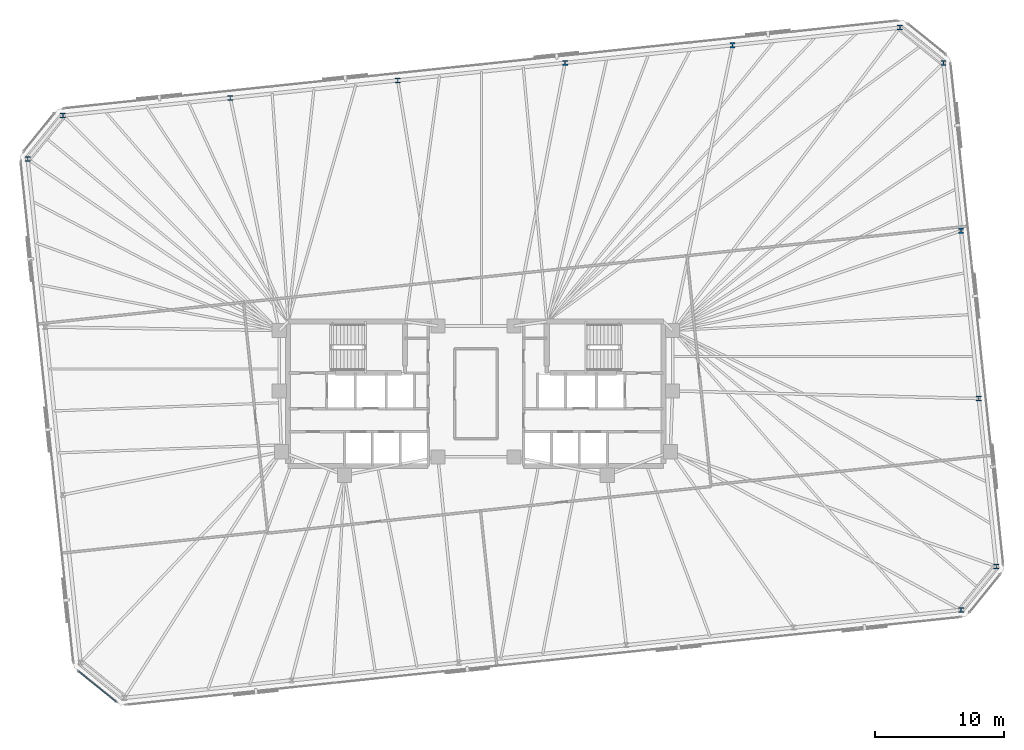
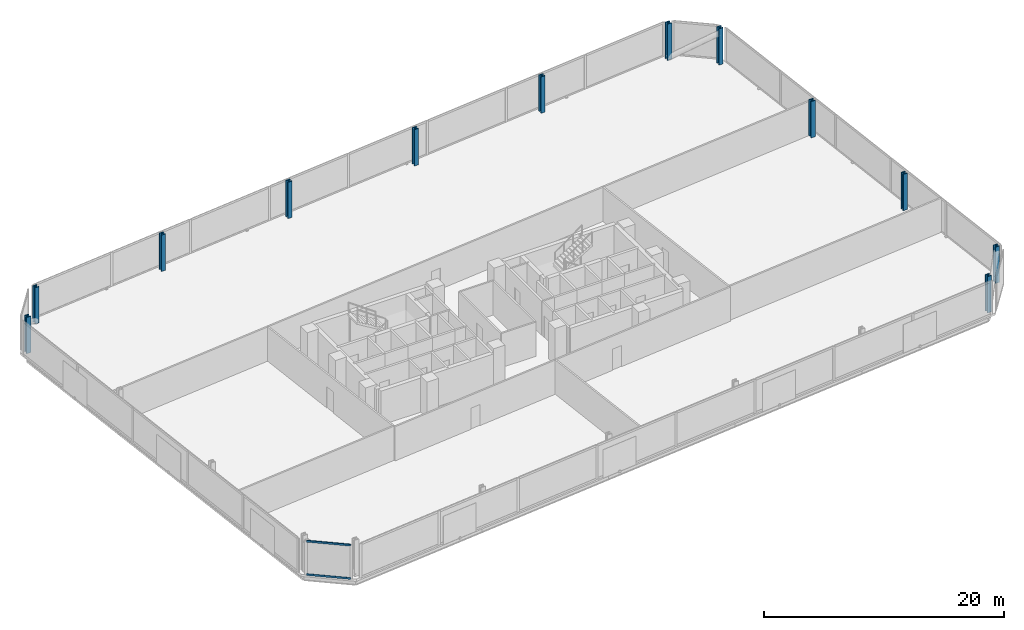
# One storey, part 5 of 17: 12 columns, 2 members, 1 element without a shape of its own.
"""IFC4 building model written with IfcOpenShell, lengths in metres."""

from ifc_helpers import new_model, si_unit, direction, frame, origin, origin_2d, place, context, subcontext, project, spatial, rectangle, i_section, extrude, material, material_profile, profile_set, type_object, element, aggregate, save


model = new_model("IFC4")

# Units and contexts
model_context = context("Model", 3, precision=1e-05, world=origin(), true_north=direction((0.0, 1.0)))
body_context = subcontext(model_context, "Body", "Model", "MODEL_VIEW")
ifc_project = project(units=[si_unit("LENGTHUNIT", "METRE"), si_unit("AREAUNIT", "SQUARE_METRE"), si_unit("VOLUMEUNIT", "CUBIC_METRE"), si_unit("PLANEANGLEUNIT", "RADIAN"), si_unit("MASSUNIT", "GRAM", prefix="KILO")], contexts=[model_context])

# Site, building, storey
site_placement = place(None, origin())
site = spatial("IfcSite", under=ifc_project, at=site_placement, CompositionType="ELEMENT")
building_placement = place(site_placement, origin())
building = spatial("IfcBuilding", under=site, at=building_placement, Name="Menara Jurai Vektor", CompositionType="ELEMENT")
storey_placement = place(building_placement, frame((0.0, 0.0, 109.60009765625)))
storey = spatial("IfcBuildingStorey", under=building, at=storey_placement, Name="L27", CompositionType="ELEMENT", Elevation=109.60009765625)

# Columns
ifc_material_1 = material(Name="Steel S460", Category="steel")
ifc_material_profile_1 = material_profile(ifc_material_1, i_section(OverallWidth=0.4130859375, OverallDepth=0.39794921875, WebThickness=0.055908203125, FlangeThickness=0.089111328125, FilletRadius=0.014892578125, at=origin_2d()), Name="HD 400x744")
ifc_profile_set_1 = profile_set([ifc_material_profile_1], Name="Steel S460")
column_type = type_object("IfcColumnType", Name="STR-EXO-BLK2", PredefinedType="COLUMN", material=ifc_profile_set_1)
for number, where, z_axis, x_axis, name in (
    (1, (37.621826171875, -16.76513671875, 0.0), (0.0, 0.0, 1.0), (1.0, 0.0, 0.0), "Exoskeleton Column BLK2-S6 L27"),
    (2, (40.356201171875, -13.388671875, 0.0), (0.0, 0.0, 1.0), (1.0, 0.0, 0.0), "Exoskeleton Column BLK2-E1 L27"),
    (3, (38.98828125, -0.375, 0.0), (0.0, 0.0, 1.0), (1.0, 0.0, 0.0), "Exoskeleton Column BLK2-E2 L27"),
    (4, (37.62060546875, 12.638427734375, 0.0), (0.0, 0.0, 1.0), (1.0, 0.0, 0.0), "Exoskeleton Column BLK2-E3 L27"),
    (5, (36.252685546875, 25.65185546875, 0.0), (0.0, 0.0, 1.0), (1.0, 0.0, 0.0), "Exoskeleton Column BLK2-E4 L27"),
    (6, (32.876220703125, 28.38623046875, 0.0), (0.0, 0.0, 1.0), (1.0, 0.0, 0.0), "Exoskeleton Column BLK2-N1 L27"),
    (7, (19.896728515625, 27.02197265625, 0.0), (0.0, 0.0, 1.0), (1.0, 0.0, 0.0), "Exoskeleton Column BLK2-N2 L27"),
    (8, (6.9169921875, 25.65771484375, 0.0), (0.0, 0.0, 1.0), (1.0, 0.0, 0.0), "Exoskeleton Column BLK2-N3 L27"),
    (9, (-6.0625, 24.29345703125, 0.0), (0.0, 0.0, 1.0), (1.0, 0.0, 0.0), "Exoskeleton Column BLK2-N4 L27"),
    (10, (-19.042236328125, 22.929443359375, 0.0), (0.0, 0.0, 1.0), (1.0, 0.0, 0.0), "Exoskeleton Column BLK2-N5 L27"),
    (11, (-32.02197265625, 21.565185546875, 0.0), (0.0, 0.0, 1.0), (1.0, 0.0, 0.0), "Exoskeleton Column BLK2-N6 L27"),
    (12, (-34.756103515625, 18.188720703125, 0.0), (0.0, 0.0, 1.0), (1.0, 0.0, 0.0), "Exoskeleton Column BLK2-W1 L27"),
):
    element("IfcColumn", number, at=place(storey_placement, frame(where, z_axis=z_axis, x_axis=x_axis)), inside=storey, type_object=column_type, Name=name, PredefinedType="COLUMN", context=body_context, shape_type="SweptSolid", body=[
        extrude(i_section(OverallWidth=0.4130859375, OverallDepth=0.39794921875, WebThickness=0.055908203125, FlangeThickness=0.089111328125, FilletRadius=0.014892578125, at=origin_2d()), origin(), (0.0, 0.0, 1.0), 3.699951171875),
    ])

# Curtain wall, members
ifc_material_2 = material(Name="Anodised Pale Aluminium & Low-E Double Glazing", Category="aluminium")
curtain_wall_type = type_object("IfcCurtainWallType", Name="CW-BLK2", PredefinedType="NOTDEFINED", material=ifc_material_2)
curtain_wall_placement = place(storey_placement, origin())
curtain_wall = element("IfcCurtainWall", 13, at=curtain_wall_placement, inside=storey, type_object=curtain_wall_type, Name="Unitised Curtain Wall L27 F08", PredefinedType="NOTDEFINED")
ifc_material_3 = material(Name="Anodised Pale Aluminium Transom", Category="aluminium")
ifc_material_profile_2 = material_profile(ifc_material_3, rectangle(XDim=0.090087890625, YDim=0.18505859375, at=origin_2d()), Name="ALU TRN 90x185")
ifc_profile_set_2 = profile_set([ifc_material_profile_2], Name="Anodised Pale Aluminium Transom")
member_type = type_object("IfcMemberType", Name="CW-BLK2-TRN", PredefinedType="USERDEFINED", material=ifc_profile_set_2)
member_1_placement = place(storey_placement, frame((-30.80078125, -21.525634765625, 0.044921875), z_axis=(0.777128916205, -0.6293414396, 0.0), x_axis=(0.6293414396, 0.777128916205, 0.0)))
member_1 = element("IfcMember", 14, at=member_1_placement, type_object=member_type, Name="CW-02 transom 1.1", ObjectType="TRANSOM", PredefinedType="USERDEFINED", context=body_context, shape_type="SweptSolid", body=[
    extrude(rectangle(XDim=0.090087890625, YDim=0.18505859375, at=origin_2d()), origin(), (0.0, 0.0, 1.0), 3.726806640625),
])
member_2_placement = place(storey_placement, frame((-30.80078125, -21.525634765625, 3.429931640625), z_axis=(0.777128916205, -0.6293414396, 0.0), x_axis=(0.6293414396, 0.777128916205, 0.0)))
member_2 = element("IfcMember", 15, at=member_2_placement, type_object=member_type, Name="CW-02 transom 1.2", ObjectType="TRANSOM", PredefinedType="USERDEFINED", context=body_context, shape_type="SweptSolid", body=[
    extrude(rectangle(XDim=0.090087890625, YDim=0.18505859375, at=origin_2d()), origin(), (0.0, 0.0, 1.0), 3.726806640625),
])
aggregate(curtain_wall, [member_1, member_2])

save(model, "model.ifc")
